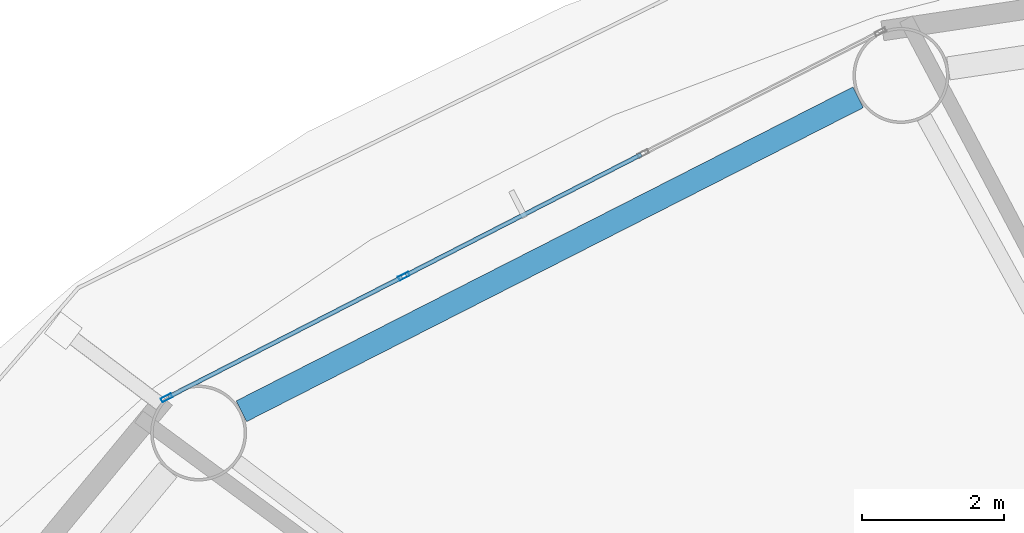
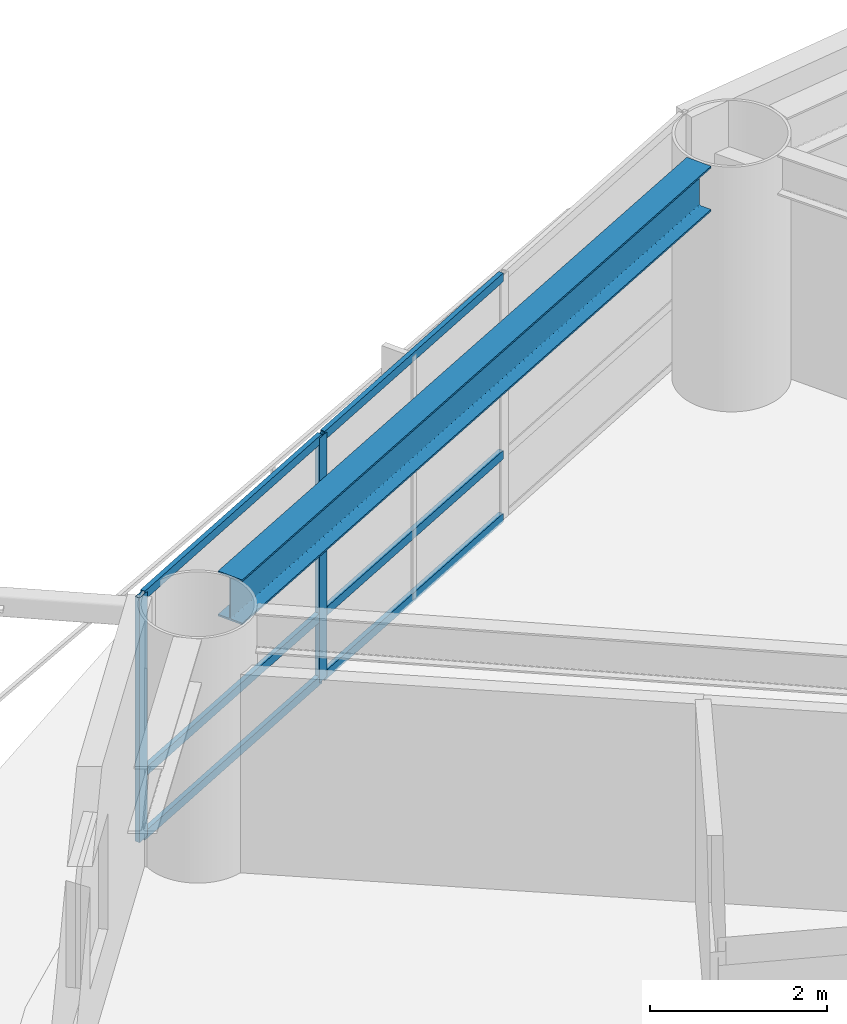
# One storey, part 10 of 26: 8 members, 1 beam, 1 element without a shape of its own.
"""IFC4 building model written with IfcOpenShell, lengths in metres."""

from ifc_helpers import new_model, si_unit, direction, frame, origin, origin_2d, place, context, subcontext, project, spatial, hollow_rectangle, i_section, extrude, material, layer, layer_set, material_profile, profile_set, type_object, element, aggregate, save


model = new_model("IFC4")

# Units and contexts
model_context = context("Model", 3, precision=1e-05, world=origin(), true_north=direction((0.0, 1.0)))
body_context = subcontext(model_context, "Body", "Model", "MODEL_VIEW")
ifc_project = project(units=[si_unit("LENGTHUNIT", "METRE"), si_unit("AREAUNIT", "SQUARE_METRE"), si_unit("VOLUMEUNIT", "CUBIC_METRE"), si_unit("PLANEANGLEUNIT", "RADIAN"), si_unit("MASSUNIT", "GRAM", prefix="KILO")], contexts=[model_context])

# Site, building, storey
site_placement = place(None, origin())
site = spatial("IfcSite", under=ifc_project, at=site_placement, CompositionType="ELEMENT")
building_placement = place(site_placement, origin())
building = spatial("IfcBuilding", under=site, at=building_placement, Name="Sarneth Arch Tower", CompositionType="ELEMENT")
storey_placement = place(building_placement, frame((0.0, 0.0, 39.0)))
storey = spatial("IfcBuildingStorey", under=building, at=storey_placement, Name="L08", CompositionType="ELEMENT", Elevation=39.0)

# Beam
ifc_material_1 = material(Name="Steel S355", Category="steel")
ifc_material_profile_1 = material_profile(ifc_material_1, i_section(OverallWidth=0.326904296875, OverallDepth=0.6220703125, WebThickness=0.015380859375, FlangeThickness=0.0244140625, FilletRadius=0.01904296875, at=origin_2d()), Name="W610x195")
ifc_profile_set_1 = profile_set([ifc_material_profile_1], Name="Steel S355")
beam_type = type_object("IfcBeamType", Name="BM-SPAN-610A", PredefinedType="SPANDREL", material=ifc_profile_set_1)
beam_placement = place(storey_placement, frame((35.58056640625, 63.127685546875, 3.069091796875), z_axis=(-0.8911738076, -0.453662037919, 0.0), x_axis=(0.453662037919, -0.8911738076, 0.0)))
element("IfcBeam", 1, at=beam_placement, inside=storey, type_object=beam_type, Name="L08 Perimeter spandrel beam 06", PredefinedType="SPANDREL", context=body_context, shape_type="SweptSolid", body=[
    extrude(i_section(OverallWidth=0.326904296875, OverallDepth=0.6220703125, WebThickness=0.015380859375, FlangeThickness=0.0244140625, FilletRadius=0.01904296875, at=origin_2d()), origin(), (0.0, 0.0, 1.0), 9.735107421875),
])

# Curtain wall, members
ifc_material_2 = material(Name="Anodised aluminium Type AA25 and solar-control low-e laminated IGU", Category="aluminium")
ifc_layer = layer(ifc_material_2, 0.159912109375)
ifc_layer_set = layer_set([ifc_layer], Name="Anodised aluminium Type AA25 and solar-control low-e laminated IGU")
curtain_wall_type = type_object("IfcCurtainWallType", Name="CW-HOTEL-LOW", PredefinedType="NOTDEFINED", material=ifc_layer_set)
curtain_wall_placement = place(storey_placement, origin())
curtain_wall = element("IfcCurtainWall", 2, at=curtain_wall_placement, inside=storey, type_object=curtain_wall_type, Name="L08 Unitised curtain wall facet 06", PredefinedType="NOTDEFINED")
ifc_material_3 = material(Name="Anodised Aluminium 6063-T6", Category="aluminium")
ifc_material_profile_2 = material_profile(ifc_material_3, hollow_rectangle(XDim=0.06005859375, YDim=0.159912109375, WallThickness=0.00390625, at=origin_2d()), Name="AL-MULL-160x60x4")
ifc_profile_set_2 = profile_set([ifc_material_profile_2], Name="Anodised Aluminium 6063-T6")
member_type_1 = type_object("IfcMemberType", Name="CW-MULLION", PredefinedType="MULLION", material=ifc_profile_set_2)
member_1_placement = place(storey_placement, frame((29.19140625, 60.611328125, 0.0), z_axis=(0.0, 0.0, 1.0), x_axis=(0.456245197127, -0.889854100456, 0.0)))
member_1 = element("IfcMember", 3, at=member_1_placement, type_object=member_type_1, Name="CW-SYS-3 mullion 3", PredefinedType="MULLION", context=body_context, shape_type="SweptSolid", body=[
    extrude(hollow_rectangle(XDim=0.06005859375, YDim=0.159912109375, WallThickness=0.00390625, at=origin_2d()), origin(), (0.0, 0.0, 1.0), 3.3798828125),
])
member_2_placement = place(storey_placement, frame((25.8525390625, 58.8994140625, 0.0), z_axis=(0.0, 0.0, 1.0), x_axis=(0.456245197127, -0.889854100456, 0.0)))
member_2 = element("IfcMember", 4, at=member_2_placement, type_object=member_type_1, Name="CW-SYS-3 mullion 4", PredefinedType="MULLION", context=body_context, shape_type="SweptSolid", body=[
    extrude(hollow_rectangle(XDim=0.06005859375, YDim=0.159912109375, WallThickness=0.00390625, at=origin_2d()), origin(), (0.0, 0.0, 1.0), 3.3798828125),
])
ifc_material_4 = material(Name="Anodised Aluminium 6063-T6", Category="aluminium")
ifc_material_profile_3 = material_profile(ifc_material_4, hollow_rectangle(XDim=0.06005859375, YDim=0.1201171875, WallThickness=0.00390625, at=origin_2d()), Name="AL-TRAN-120x60x4")
ifc_profile_set_3 = profile_set([ifc_material_profile_3], Name="Anodised Aluminium 6063-T6")
member_type_2 = type_object("IfcMemberType", Name="CW-TRANSOM", PredefinedType="USERDEFINED", material=ifc_profile_set_3)
member_3_placement = place(storey_placement, frame((32.530029296875, 62.322998046875, 0.030029296875), z_axis=(-0.889868677022, -0.456216766083, 0.0), x_axis=(0.456216766083, -0.889868677022, 0.0)))
member_3 = element("IfcMember", 5, at=member_3_placement, type_object=member_type_2, Name="CW-SYS-3 transom 2.1", ObjectType="TRANSOM", PredefinedType="USERDEFINED", context=body_context, shape_type="SweptSolid", body=[
    extrude(hollow_rectangle(XDim=0.06005859375, YDim=0.1201171875, WallThickness=0.00390625, at=origin_2d()), origin(), (0.0, 0.0, 1.0), 3.721923828125),
])
member_4_placement = place(storey_placement, frame((32.530029296875, 62.322998046875, 0.89990234375), z_axis=(-0.889868677022, -0.456216766083, 0.0), x_axis=(0.456216766083, -0.889868677022, 0.0)))
member_4 = element("IfcMember", 6, at=member_4_placement, type_object=member_type_2, Name="CW-SYS-3 transom 2.2", ObjectType="TRANSOM", PredefinedType="USERDEFINED", context=body_context, shape_type="SweptSolid", body=[
    extrude(hollow_rectangle(XDim=0.06005859375, YDim=0.1201171875, WallThickness=0.00390625, at=origin_2d()), origin(), (0.0, 0.0, 1.0), 3.721923828125),
])
member_5_placement = place(storey_placement, frame((32.530029296875, 62.322998046875, 3.35009765625), z_axis=(-0.889868677022, -0.456216766083, 0.0), x_axis=(0.456216766083, -0.889868677022, 0.0)))
member_5 = element("IfcMember", 7, at=member_5_placement, type_object=member_type_2, Name="CW-SYS-3 transom 2.3", ObjectType="TRANSOM", PredefinedType="USERDEFINED", context=body_context, shape_type="SweptSolid", body=[
    extrude(hollow_rectangle(XDim=0.06005859375, YDim=0.1201171875, WallThickness=0.00390625, at=origin_2d()), origin(), (0.0, 0.0, 1.0), 3.721923828125),
])
member_6_placement = place(storey_placement, frame((29.16455078125, 60.597412109375, 0.030029296875), z_axis=(-0.889871845224, -0.456210586327, 0.0), x_axis=(0.456210586327, -0.889871845224, 0.0)))
member_6 = element("IfcMember", 8, at=member_6_placement, type_object=member_type_2, Name="CW-SYS-3 transom 3.1", ObjectType="TRANSOM", PredefinedType="USERDEFINED", context=body_context, shape_type="SweptSolid", body=[
    extrude(hollow_rectangle(XDim=0.06005859375, YDim=0.1201171875, WallThickness=0.00390625, at=origin_2d()), origin(), (0.0, 0.0, 1.0), 3.69189453125),
])
member_7_placement = place(storey_placement, frame((29.16455078125, 60.597412109375, 0.89990234375), z_axis=(-0.889871845224, -0.456210586327, 0.0), x_axis=(0.456210586327, -0.889871845224, 0.0)))
member_7 = element("IfcMember", 9, at=member_7_placement, type_object=member_type_2, Name="CW-SYS-3 transom 3.2", ObjectType="TRANSOM", PredefinedType="USERDEFINED", context=body_context, shape_type="SweptSolid", body=[
    extrude(hollow_rectangle(XDim=0.06005859375, YDim=0.1201171875, WallThickness=0.00390625, at=origin_2d()), origin(), (0.0, 0.0, 1.0), 3.69189453125),
])
member_8_placement = place(storey_placement, frame((29.16455078125, 60.597412109375, 3.35009765625), z_axis=(-0.889871845224, -0.456210586327, 0.0), x_axis=(0.456210586327, -0.889871845224, 0.0)))
member_8 = element("IfcMember", 10, at=member_8_placement, type_object=member_type_2, Name="CW-SYS-3 transom 3.3", ObjectType="TRANSOM", PredefinedType="USERDEFINED", context=body_context, shape_type="SweptSolid", body=[
    extrude(hollow_rectangle(XDim=0.06005859375, YDim=0.1201171875, WallThickness=0.00390625, at=origin_2d()), origin(), (0.0, 0.0, 1.0), 3.69189453125),
])
aggregate(curtain_wall, [member_1, member_2, member_3, member_4, member_5, member_6, member_7, member_8])

save(model, "model.ifc")
